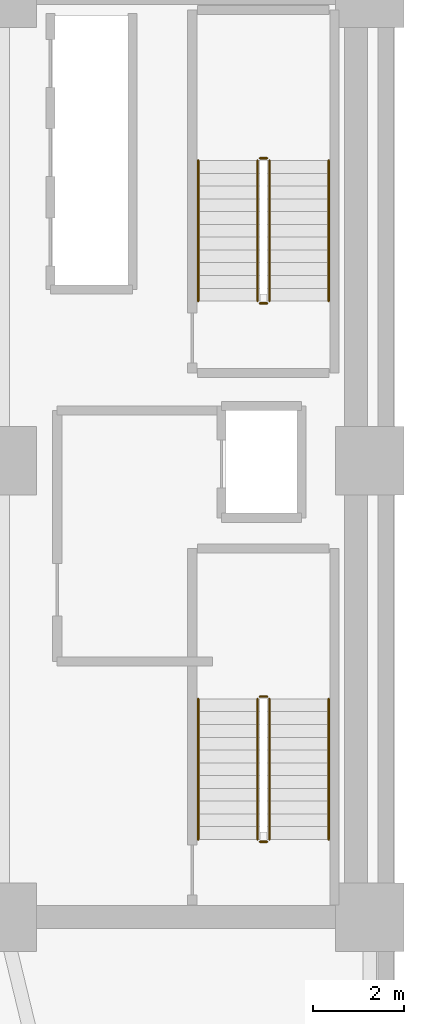
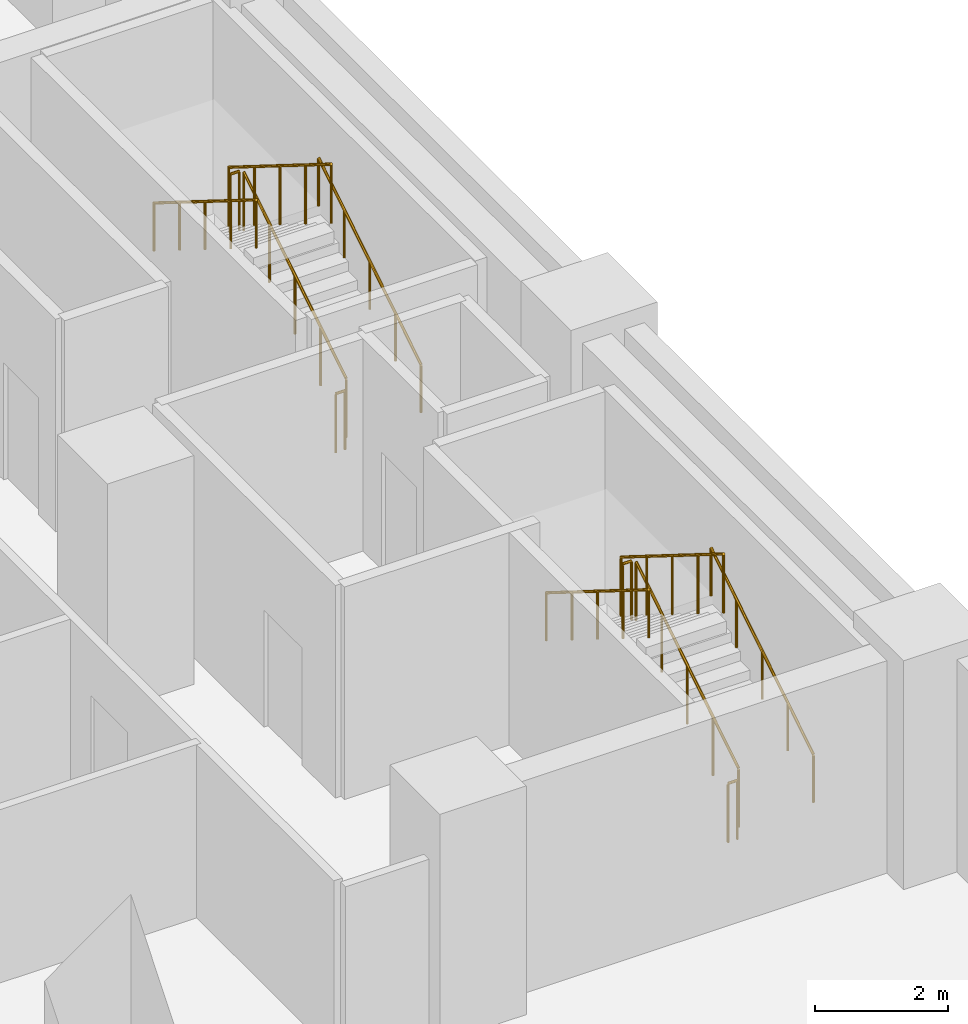
# One storey, part 8 of 8: 12 railings.
"""IFC4 building model written with IfcOpenShell, lengths in metres."""

from ifc_helpers import new_model, si_unit, direction, frame, origin, origin_2d, place, context, subcontext, project, spatial, circle, extrude, material, layer, layer_set, type_object, element, save


model = new_model("IFC4")

# Units and contexts
model_context = context("Model", 3, precision=1e-05, world=origin(), true_north=direction((0.0, 1.0)))
body_context = subcontext(model_context, "Body", "Model", "MODEL_VIEW")
ifc_project = project(units=[si_unit("LENGTHUNIT", "METRE"), si_unit("AREAUNIT", "SQUARE_METRE"), si_unit("VOLUMEUNIT", "CUBIC_METRE"), si_unit("PLANEANGLEUNIT", "RADIAN"), si_unit("MASSUNIT", "GRAM", prefix="KILO")], contexts=[model_context])

# Site, building, storey
site_placement = place(None, origin())
site = spatial("IfcSite", under=ifc_project, at=site_placement, CompositionType="ELEMENT")
building_placement = place(site_placement, origin())
building = spatial("IfcBuilding", under=site, at=building_placement, Name="Kuzgunbayir Cultural Tower", CompositionType="ELEMENT")
storey_placement = place(building_placement, frame((0.0, 0.0, 17.60009765625)))
storey = spatial("IfcBuildingStorey", under=building, at=storey_placement, Name="L04", CompositionType="ELEMENT", Elevation=17.60009765625)

# Railings
ifc_material_1 = material(Name="Brushed Stainless Steel", Category="steel")
ifc_layer_1 = layer(ifc_material_1, 0.050048828125)
ifc_layer_set_1 = layer_set([ifc_layer_1], Name="Brushed Stainless Steel")
railing_type_1 = type_object("IfcRailingType", Name="RLG-STAIR-HANDRAIL", PredefinedType="HANDRAIL", material=ifc_layer_set_1)
railing_1_placement = place(storey_placement, frame((71.75, 23.699951171875, 0.1748046875)))
element("IfcRailing", 1, at=railing_1_placement, inside=storey, type_object=railing_type_1, Name="L04 ST-3 stair handrail 1", PredefinedType="HANDRAIL", context=body_context, shape_type="SweptSolid", body=[
    extrude(circle(Radius=0.02392578125, at=origin_2d()), frame((0.0, 0.0, 0.8759765625), z_axis=(0.0, 0.847998304005, 0.529998940003), x_axis=(-1.0, 0.0, 0.0)), (0.0, 0.0, 1.0), 3.632080078125),
    extrude(circle(Radius=0.02099609375, at=origin_2d()), origin(), (0.0, 0.0, 1.0), 0.851806640625),
    extrude(circle(Radius=0.02099609375, at=origin_2d()), frame((0.0, 0.77001953125, 0.481201171875)), (0.0, 0.0, 1.0), 0.851806640625),
    extrude(circle(Radius=0.02099609375, at=origin_2d()), frame((0.0, 1.5400390625, 0.96240234375)), (0.0, 0.0, 1.0), 0.851806640625),
    extrude(circle(Radius=0.02099609375, at=origin_2d()), frame((0.0, 2.31005859375, 1.44384765625)), (0.0, 0.0, 1.0), 0.851806640625),
    extrude(circle(Radius=0.02099609375, at=origin_2d()), frame((0.0, 3.080078125, 1.925048828125)), (0.0, 0.0, 1.0), 0.851806640625),
])
railing_2_placement = place(storey_placement, frame((68.889892578125, 26.780029296875, 2.27490234375)))
element("IfcRailing", 2, at=railing_2_placement, inside=storey, type_object=railing_type_1, Name="L04 ST-3 stair handrail 2", PredefinedType="HANDRAIL", context=body_context, shape_type="SweptSolid", body=[
    extrude(circle(Radius=0.02392578125, at=origin_2d()), frame((0.0, 0.0, 0.8759765625), z_axis=(0.0, -0.847998304005, 0.529998940003), x_axis=(1.0, 0.0, 0.0)), (0.0, 0.0, 1.0), 3.632080078125),
    extrude(circle(Radius=0.02099609375, at=origin_2d()), origin(), (0.0, 0.0, 1.0), 0.851806640625),
    extrude(circle(Radius=0.02099609375, at=origin_2d()), frame((0.0, -0.77001953125, 0.481201171875)), (0.0, 0.0, 1.0), 0.851806640625),
    extrude(circle(Radius=0.02099609375, at=origin_2d()), frame((0.0, -1.5400390625, 0.96240234375)), (0.0, 0.0, 1.0), 0.851806640625),
    extrude(circle(Radius=0.02099609375, at=origin_2d()), frame((0.0, -2.31005859375, 1.44384765625)), (0.0, 0.0, 1.0), 0.851806640625),
    extrude(circle(Radius=0.02099609375, at=origin_2d()), frame((0.0, -3.080078125, 1.925048828125)), (0.0, 0.0, 1.0), 0.851806640625),
])
railing_3_placement = place(storey_placement, frame((71.75, 35.5, 0.1748046875)))
element("IfcRailing", 3, at=railing_3_placement, inside=storey, type_object=railing_type_1, Name="L04 ST-4 stair handrail 1", PredefinedType="HANDRAIL", context=body_context, shape_type="SweptSolid", body=[
    extrude(circle(Radius=0.02392578125, at=origin_2d()), frame((0.0, 0.0, 0.8759765625), z_axis=(0.0, 0.847998304005, 0.529998940003), x_axis=(-1.0, 0.0, 0.0)), (0.0, 0.0, 1.0), 3.632080078125),
    extrude(circle(Radius=0.02099609375, at=origin_2d()), origin(), (0.0, 0.0, 1.0), 0.851806640625),
    extrude(circle(Radius=0.02099609375, at=origin_2d()), frame((0.0, 0.77001953125, 0.481201171875)), (0.0, 0.0, 1.0), 0.851806640625),
    extrude(circle(Radius=0.02099609375, at=origin_2d()), frame((0.0, 1.5400390625, 0.96240234375)), (0.0, 0.0, 1.0), 0.851806640625),
    extrude(circle(Radius=0.02099609375, at=origin_2d()), frame((0.0, 2.31005859375, 1.44384765625)), (0.0, 0.0, 1.0), 0.851806640625),
    extrude(circle(Radius=0.02099609375, at=origin_2d()), frame((0.0, 3.080078125, 1.925048828125)), (0.0, 0.0, 1.0), 0.851806640625),
])
railing_4_placement = place(storey_placement, frame((68.889892578125, 38.580078125, 2.27490234375)))
element("IfcRailing", 4, at=railing_4_placement, inside=storey, type_object=railing_type_1, Name="L04 ST-4 stair handrail 2", PredefinedType="HANDRAIL", context=body_context, shape_type="SweptSolid", body=[
    extrude(circle(Radius=0.02392578125, at=origin_2d()), frame((0.0, 0.0, 0.8759765625), z_axis=(0.0, -0.847998304005, 0.529998940003), x_axis=(1.0, 0.0, 0.0)), (0.0, 0.0, 1.0), 3.632080078125),
    extrude(circle(Radius=0.02099609375, at=origin_2d()), origin(), (0.0, 0.0, 1.0), 0.851806640625),
    extrude(circle(Radius=0.02099609375, at=origin_2d()), frame((0.0, -0.77001953125, 0.481201171875)), (0.0, 0.0, 1.0), 0.851806640625),
    extrude(circle(Radius=0.02099609375, at=origin_2d()), frame((0.0, -1.5400390625, 0.96240234375)), (0.0, 0.0, 1.0), 0.851806640625),
    extrude(circle(Radius=0.02099609375, at=origin_2d()), frame((0.0, -2.31005859375, 1.44384765625)), (0.0, 0.0, 1.0), 0.851806640625),
    extrude(circle(Radius=0.02099609375, at=origin_2d()), frame((0.0, -3.080078125, 1.925048828125)), (0.0, 0.0, 1.0), 0.851806640625),
])
ifc_material_2 = material(Name="Painted Steel Balustrade", Category="steel")
ifc_layer_2 = layer(ifc_material_2, 0.06005859375)
ifc_layer_set_2 = layer_set([ifc_layer_2], Name="Painted Steel Balustrade")
railing_type_2 = type_object("IfcRailingType", Name="RLG-WELL-GUARD", PredefinedType="GUARDRAIL", material=ifc_layer_set_2)
railing_5_placement = place(storey_placement, frame((70.449951171875, 23.699951171875, 0.1748046875)))
element("IfcRailing", 5, at=railing_5_placement, inside=storey, type_object=railing_type_2, Name="L04 ST-3 stair guard 1", PredefinedType="GUARDRAIL", context=body_context, shape_type="SweptSolid", body=[
    extrude(circle(Radius=0.02392578125, at=origin_2d()), frame((0.0, 0.0, 1.076171875), z_axis=(0.0, 0.847998304005, 0.529998940003), x_axis=(-1.0, 0.0, 0.0)), (0.0, 0.0, 1.0), 3.632080078125),
    extrude(circle(Radius=0.02099609375, at=origin_2d()), origin(), (0.0, 0.0, 1.0), 1.052001953125),
    extrude(circle(Radius=0.02099609375, at=origin_2d()), frame((0.0, 0.77001953125, 0.481201171875)), (0.0, 0.0, 1.0), 1.052001953125),
    extrude(circle(Radius=0.02099609375, at=origin_2d()), frame((0.0, 1.5400390625, 0.96240234375)), (0.0, 0.0, 1.0), 1.052001953125),
    extrude(circle(Radius=0.02099609375, at=origin_2d()), frame((0.0, 2.31005859375, 1.44384765625)), (0.0, 0.0, 1.0), 1.052001953125),
    extrude(circle(Radius=0.02099609375, at=origin_2d()), frame((0.0, 3.080078125, 1.925048828125)), (0.0, 0.0, 1.0), 1.052001953125),
])
railing_6_placement = place(storey_placement, frame((70.39990234375, 26.830078125, 2.099853515625)))
element("IfcRailing", 6, at=railing_6_placement, inside=storey, type_object=railing_type_2, Name="L04 ST-3 stair guard 2", PredefinedType="GUARDRAIL", context=body_context, shape_type="SweptSolid", body=[
    extrude(circle(Radius=0.02392578125, at=origin_2d()), frame((0.0, 0.0, 1.076171875), z_axis=(-1.0, 0.0, 0.0), x_axis=(0.0, -1.0, 0.0)), (0.0, 0.0, 1.0), 0.159912109375),
    extrude(circle(Radius=0.02099609375, at=origin_2d()), origin(), (0.0, 0.0, 1.0), 1.052001953125),
    extrude(circle(Radius=0.02099609375, at=origin_2d()), frame((-0.159912109375, 0.0, 0.0)), (0.0, 0.0, 1.0), 1.052001953125),
])
railing_7_placement = place(storey_placement, frame((70.18994140625, 26.780029296875, 2.27490234375)))
element("IfcRailing", 7, at=railing_7_placement, inside=storey, type_object=railing_type_2, Name="L04 ST-3 stair guard 3", PredefinedType="GUARDRAIL", context=body_context, shape_type="SweptSolid", body=[
    extrude(circle(Radius=0.02392578125, at=origin_2d()), frame((0.0, 0.0, 1.076171875), z_axis=(0.0, -0.847998304005, 0.529998940003), x_axis=(1.0, 0.0, 0.0)), (0.0, 0.0, 1.0), 3.632080078125),
    extrude(circle(Radius=0.02099609375, at=origin_2d()), origin(), (0.0, 0.0, 1.0), 1.052001953125),
    extrude(circle(Radius=0.02099609375, at=origin_2d()), frame((0.0, -0.77001953125, 0.481201171875)), (0.0, 0.0, 1.0), 1.052001953125),
    extrude(circle(Radius=0.02099609375, at=origin_2d()), frame((0.0, -1.5400390625, 0.96240234375)), (0.0, 0.0, 1.0), 1.052001953125),
    extrude(circle(Radius=0.02099609375, at=origin_2d()), frame((0.0, -2.31005859375, 1.44384765625)), (0.0, 0.0, 1.0), 1.052001953125),
    extrude(circle(Radius=0.02099609375, at=origin_2d()), frame((0.0, -3.080078125, 1.925048828125)), (0.0, 0.0, 1.0), 1.052001953125),
])
railing_8_placement = place(storey_placement, frame((70.39990234375, 23.64990234375, 0.0)))
element("IfcRailing", 8, at=railing_8_placement, inside=storey, type_object=railing_type_2, Name="L04 ST-3 stair guard 4", PredefinedType="GUARDRAIL", context=body_context, shape_type="SweptSolid", body=[
    extrude(circle(Radius=0.02392578125, at=origin_2d()), frame((0.0, 0.0, 1.076171875), z_axis=(-1.0, 0.0, 0.0), x_axis=(0.0, -1.0, 0.0)), (0.0, 0.0, 1.0), 0.159912109375),
    extrude(circle(Radius=0.02099609375, at=origin_2d()), origin(), (0.0, 0.0, 1.0), 1.052001953125),
    extrude(circle(Radius=0.02099609375, at=origin_2d()), frame((-0.159912109375, 0.0, 0.0)), (0.0, 0.0, 1.0), 1.052001953125),
])
railing_9_placement = place(storey_placement, frame((70.449951171875, 35.5, 0.1748046875)))
element("IfcRailing", 9, at=railing_9_placement, inside=storey, type_object=railing_type_2, Name="L04 ST-4 stair guard 1", PredefinedType="GUARDRAIL", context=body_context, shape_type="SweptSolid", body=[
    extrude(circle(Radius=0.02392578125, at=origin_2d()), frame((0.0, 0.0, 1.076171875), z_axis=(0.0, 0.847998304005, 0.529998940003), x_axis=(-1.0, 0.0, 0.0)), (0.0, 0.0, 1.0), 3.632080078125),
    extrude(circle(Radius=0.02099609375, at=origin_2d()), origin(), (0.0, 0.0, 1.0), 1.052001953125),
    extrude(circle(Radius=0.02099609375, at=origin_2d()), frame((0.0, 0.77001953125, 0.481201171875)), (0.0, 0.0, 1.0), 1.052001953125),
    extrude(circle(Radius=0.02099609375, at=origin_2d()), frame((0.0, 1.5400390625, 0.96240234375)), (0.0, 0.0, 1.0), 1.052001953125),
    extrude(circle(Radius=0.02099609375, at=origin_2d()), frame((0.0, 2.31005859375, 1.44384765625)), (0.0, 0.0, 1.0), 1.052001953125),
    extrude(circle(Radius=0.02099609375, at=origin_2d()), frame((0.0, 3.080078125, 1.925048828125)), (0.0, 0.0, 1.0), 1.052001953125),
])
railing_10_placement = place(storey_placement, frame((70.39990234375, 38.6298828125, 2.099853515625)))
element("IfcRailing", 10, at=railing_10_placement, inside=storey, type_object=railing_type_2, Name="L04 ST-4 stair guard 2", PredefinedType="GUARDRAIL", context=body_context, shape_type="SweptSolid", body=[
    extrude(circle(Radius=0.02392578125, at=origin_2d()), frame((0.0, 0.0, 1.076171875), z_axis=(-1.0, 0.0, 0.0), x_axis=(0.0, -1.0, 0.0)), (0.0, 0.0, 1.0), 0.159912109375),
    extrude(circle(Radius=0.02099609375, at=origin_2d()), origin(), (0.0, 0.0, 1.0), 1.052001953125),
    extrude(circle(Radius=0.02099609375, at=origin_2d()), frame((-0.159912109375, 0.0, 0.0)), (0.0, 0.0, 1.0), 1.052001953125),
])
railing_11_placement = place(storey_placement, frame((70.18994140625, 38.580078125, 2.27490234375)))
element("IfcRailing", 11, at=railing_11_placement, inside=storey, type_object=railing_type_2, Name="L04 ST-4 stair guard 3", PredefinedType="GUARDRAIL", context=body_context, shape_type="SweptSolid", body=[
    extrude(circle(Radius=0.02392578125, at=origin_2d()), frame((0.0, 0.0, 1.076171875), z_axis=(0.0, -0.847998304005, 0.529998940003), x_axis=(1.0, 0.0, 0.0)), (0.0, 0.0, 1.0), 3.632080078125),
    extrude(circle(Radius=0.02099609375, at=origin_2d()), origin(), (0.0, 0.0, 1.0), 1.052001953125),
    extrude(circle(Radius=0.02099609375, at=origin_2d()), frame((0.0, -0.77001953125, 0.481201171875)), (0.0, 0.0, 1.0), 1.052001953125),
    extrude(circle(Radius=0.02099609375, at=origin_2d()), frame((0.0, -1.5400390625, 0.96240234375)), (0.0, 0.0, 1.0), 1.052001953125),
    extrude(circle(Radius=0.02099609375, at=origin_2d()), frame((0.0, -2.31005859375, 1.44384765625)), (0.0, 0.0, 1.0), 1.052001953125),
    extrude(circle(Radius=0.02099609375, at=origin_2d()), frame((0.0, -3.080078125, 1.925048828125)), (0.0, 0.0, 1.0), 1.052001953125),
])
railing_12_placement = place(storey_placement, frame((70.39990234375, 35.449951171875, 0.0)))
element("IfcRailing", 12, at=railing_12_placement, inside=storey, type_object=railing_type_2, Name="L04 ST-4 stair guard 4", PredefinedType="GUARDRAIL", context=body_context, shape_type="SweptSolid", body=[
    extrude(circle(Radius=0.02392578125, at=origin_2d()), frame((0.0, 0.0, 1.076171875), z_axis=(-1.0, 0.0, 0.0), x_axis=(0.0, -1.0, 0.0)), (0.0, 0.0, 1.0), 0.159912109375),
    extrude(circle(Radius=0.02099609375, at=origin_2d()), origin(), (0.0, 0.0, 1.0), 1.052001953125),
    extrude(circle(Radius=0.02099609375, at=origin_2d()), frame((-0.159912109375, 0.0, 0.0)), (0.0, 0.0, 1.0), 1.052001953125),
])

save(model, "model.ifc")
